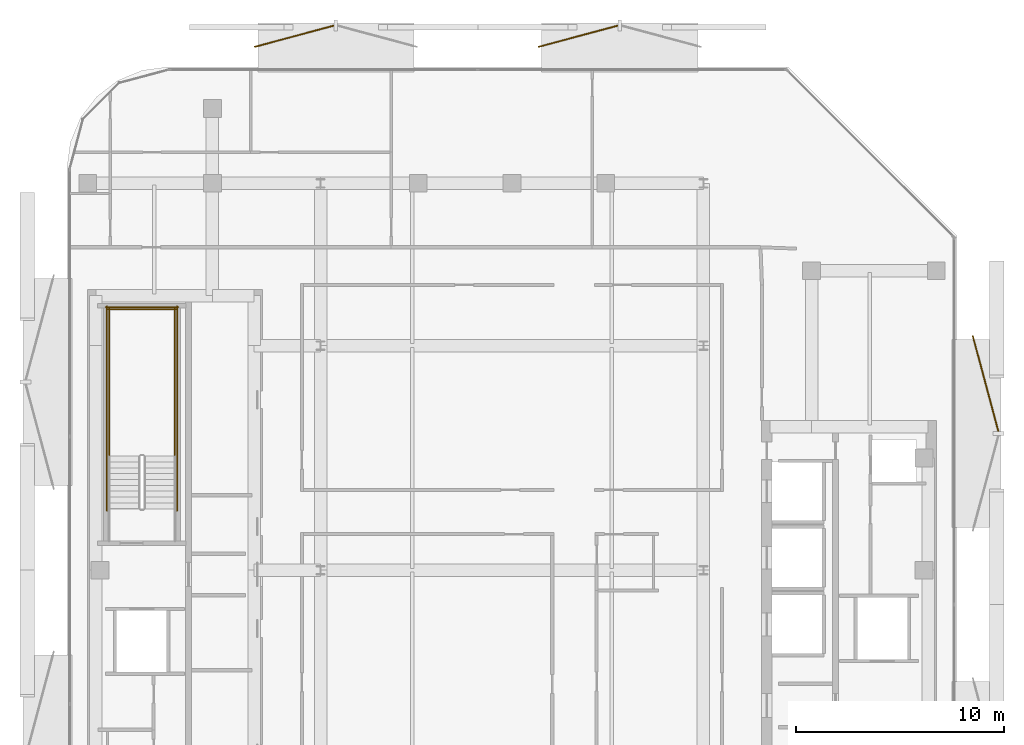
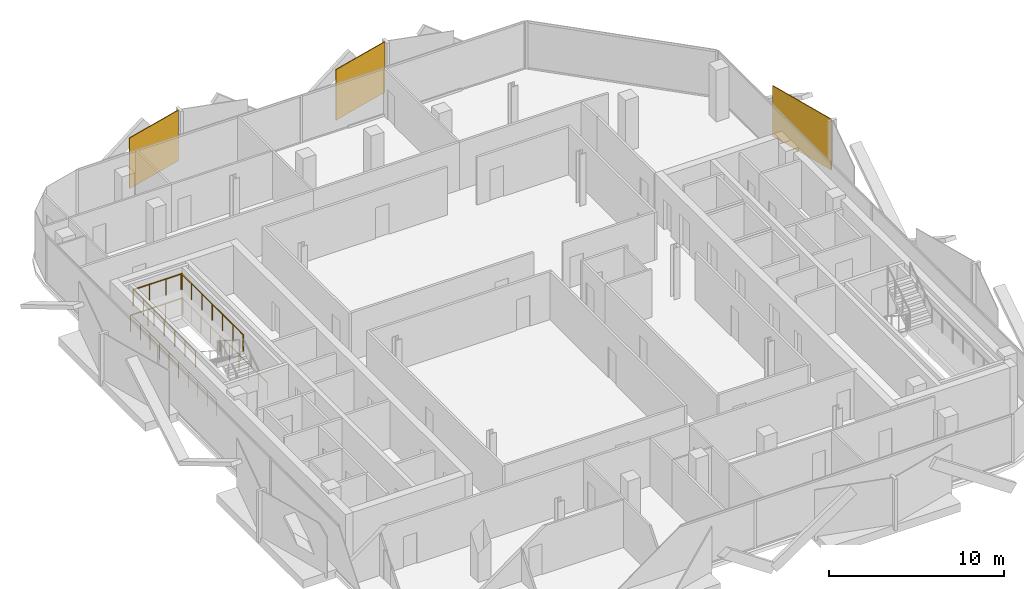
# One storey, part 15 of 15: 6 railings, 3 coverings.
"""IFC4 building model written with IfcOpenShell, lengths in metres."""

from ifc_helpers import new_model, si_unit, direction, frame, origin, origin_2d, place, context, subcontext, project, spatial, rectangle, circle, extrude, material, layer, layer_set, type_object, element, save


model = new_model("IFC4")

# Units and contexts
model_context = context("Model", 3, precision=1e-05, world=origin(), true_north=direction((0.0, 1.0)))
body_context = subcontext(model_context, "Body", "Model", "MODEL_VIEW")
ifc_project = project(units=[si_unit("LENGTHUNIT", "METRE"), si_unit("AREAUNIT", "SQUARE_METRE"), si_unit("VOLUMEUNIT", "CUBIC_METRE"), si_unit("PLANEANGLEUNIT", "RADIAN"), si_unit("MASSUNIT", "GRAM", prefix="KILO")], contexts=[model_context])

# Site, building, storey
site_placement = place(None, origin())
site = spatial("IfcSite", under=ifc_project, at=site_placement, CompositionType="ELEMENT")
building_placement = place(site_placement, origin())
building = spatial("IfcBuilding", under=site, at=building_placement, Name="Khairoan Windgate Tower", CompositionType="ELEMENT")
storey_placement = place(building_placement, frame((0.0, 0.0, 265.60009765625)))
storey = spatial("IfcBuildingStorey", under=building, at=storey_placement, Name="L63", CompositionType="ELEMENT", Elevation=265.60009765625)

# Coverings
ifc_material_1 = material(Name="Anodised Bronze Aluminium 6063-T6", Category="aluminium")
ifc_layer = layer(ifc_material_1, 0.054931640625, Name="Anodised Bronze Aluminium 6063-T6")
ifc_layer_set = layer_set([ifc_layer], Name="Anodised Bronze Aluminium 6063-T6")
covering_type = type_object("IfcCoveringType", Name="Perforated Bronze-Ceramic Folded Solar Screen Cladding BSC-1", PredefinedType="CLADDING", material=ifc_layer_set)
for number, where, z_axis, x_axis, name in (
    (1, (-10.46875, 25.66796875, -0.10009765625), (0.0, 0.0, 1.0), (0.965925826289, 0.258819045103, 0.0), "L63 Folded Bronze Solar Screen Facet 437L"),
    (2, (3.177734375, 25.66796875, -0.10009765625), (0.0, 0.0, 1.0), (0.965925826289, 0.258819045103, 0.0), "L63 Folded Bronze Solar Screen Facet 438L"),
):
    element("IfcCovering", number, at=place(storey_placement, frame(where, z_axis=z_axis, x_axis=x_axis)), inside=storey, type_object=covering_type, Name=name, PredefinedType="CLADDING", context=body_context, shape_type="SweptSolid", body=[
        extrude(rectangle(XDim=3.95703125, YDim=0.054931640625, at=origin_2d()), origin(), (0.0, 0.0, 1.0), 3.5400390625),
    ])
covering_placement = place(storey_placement, frame((22.7626953125, 8.97216796875, -0.10009765625), z_axis=(0.0, 0.0, 1.0), x_axis=(0.258819045103, -0.965925826289, 0.0)))
element("IfcCovering", 3, at=covering_placement, inside=storey, type_object=covering_type, Name="L63 Folded Bronze Solar Screen Facet 439L", PredefinedType="CLADDING", context=body_context, shape_type="SweptSolid", body=[
    extrude(rectangle(XDim=4.76904296875, YDim=0.054931640625, at=origin_2d()), origin(), (0.0, 0.0, 1.0), 3.5400390625),
])

# Railings
ifc_material_2 = material(Name="Steel S355", Category="steel")
railing_type = type_object("IfcRailingType", Name="Stairwell Safety Guardrail SGR-1150", PredefinedType="GUARDRAIL", material=ifc_material_2)
for number, where, name in (
    (4, (-16.199951171875, 5.47998046875, 1.7998046875), "L63 ST2 stair guard 3"),
    (5, (-19.3701171875, 5.47998046875, 1.7998046875), "L63 ST2 stair guard 4"),
):
    element("IfcRailing", number, at=place(storey_placement, frame(where)), inside=storey, type_object=railing_type, Name=name, PredefinedType="GUARDRAIL", context=body_context, shape_type="SweptSolid", body=[
        extrude(circle(Radius=0.02392578125, at=origin_2d()), frame((0.0, 0.0, 1.1259765625), z_axis=(0.0, 1.0, 0.0), x_axis=(-1.0, 0.0, 0.0)), (0.0, 0.0, 1.0), 7.1201171875),
        extrude(circle(Radius=0.02099609375, at=origin_2d()), origin(), (0.0, 0.0, 1.0), 1.101806640625),
        extrude(circle(Radius=0.02099609375, at=origin_2d()), frame((0.0, 1.186767578125, 0.0)), (0.0, 0.0, 1.0), 1.101806640625),
        extrude(circle(Radius=0.02099609375, at=origin_2d()), frame((0.0, 2.373291015625, 0.0)), (0.0, 0.0, 1.0), 1.101806640625),
        extrude(circle(Radius=0.02099609375, at=origin_2d()), frame((0.0, 3.56005859375, 0.0)), (0.0, 0.0, 1.0), 1.101806640625),
        extrude(circle(Radius=0.02099609375, at=origin_2d()), frame((0.0, 4.746826171875, 0.0)), (0.0, 0.0, 1.0), 1.101806640625),
        extrude(circle(Radius=0.02099609375, at=origin_2d()), frame((0.0, 5.933349609375, 0.0)), (0.0, 0.0, 1.0), 1.101806640625),
        extrude(circle(Radius=0.02099609375, at=origin_2d()), frame((0.0, 7.1201171875, 0.0)), (0.0, 0.0, 1.0), 1.101806640625),
    ])
railing_1_placement = place(storey_placement, frame((-16.14990234375, 12.550048828125, 1.7998046875)))
element("IfcRailing", 6, at=railing_1_placement, inside=storey, type_object=railing_type, Name="L63 ST2 stair guard 5", PredefinedType="GUARDRAIL", context=body_context, shape_type="SweptSolid", body=[
    extrude(circle(Radius=0.02392578125, at=origin_2d()), frame((0.0, 0.0, 1.1259765625), z_axis=(-1.0, 0.0, 0.0), x_axis=(0.0, -1.0, 0.0)), (0.0, 0.0, 1.0), 3.27001953125),
    extrude(circle(Radius=0.02099609375, at=origin_2d()), origin(), (0.0, 0.0, 1.0), 1.101806640625),
    extrude(circle(Radius=0.02099609375, at=origin_2d()), frame((-1.090087890625, 0.0, 0.0)), (0.0, 0.0, 1.0), 1.101806640625),
    extrude(circle(Radius=0.02099609375, at=origin_2d()), frame((-2.179931640625, 0.0, 0.0)), (0.0, 0.0, 1.0), 1.101806640625),
    extrude(circle(Radius=0.02099609375, at=origin_2d()), frame((-3.27001953125, 0.0, 0.0)), (0.0, 0.0, 1.0), 1.101806640625),
])
for number, where, name in (
    (7, (-16.10009765625, 2.860107421875, 0.0), "L63 ST2 stair guard 10"),
    (8, (-19.469970703125, 2.860107421875, 0.0), "L63 ST2 stair guard 11"),
):
    element("IfcRailing", number, at=place(storey_placement, frame(where)), inside=storey, type_object=railing_type, Name=name, PredefinedType="GUARDRAIL", context=body_context, shape_type="SweptSolid", body=[
        extrude(circle(Radius=0.02392578125, at=origin_2d()), frame((0.0, 0.0, 1.1259765625), z_axis=(0.0, 1.0, 0.0), x_axis=(-1.0, 0.0, 0.0)), (0.0, 0.0, 1.0), 9.83984375),
        extrude(circle(Radius=0.02099609375, at=origin_2d()), origin(), (0.0, 0.0, 1.0), 1.101806640625),
        extrude(circle(Radius=0.02099609375, at=origin_2d()), frame((0.0, 1.09326171875, 0.0)), (0.0, 0.0, 1.0), 1.101806640625),
        extrude(circle(Radius=0.02099609375, at=origin_2d()), frame((0.0, 2.1865234375, 0.0)), (0.0, 0.0, 1.0), 1.101806640625),
        extrude(circle(Radius=0.02099609375, at=origin_2d()), frame((0.0, 3.280029296875, 0.0)), (0.0, 0.0, 1.0), 1.101806640625),
        extrude(circle(Radius=0.02099609375, at=origin_2d()), frame((0.0, 4.373291015625, 0.0)), (0.0, 0.0, 1.0), 1.101806640625),
        extrude(circle(Radius=0.02099609375, at=origin_2d()), frame((0.0, 5.466552734375, 0.0)), (0.0, 0.0, 1.0), 1.101806640625),
        extrude(circle(Radius=0.02099609375, at=origin_2d()), frame((0.0, 6.559814453125, 0.0)), (0.0, 0.0, 1.0), 1.101806640625),
        extrude(circle(Radius=0.02099609375, at=origin_2d()), frame((0.0, 7.6533203125, 0.0)), (0.0, 0.0, 1.0), 1.101806640625),
        extrude(circle(Radius=0.02099609375, at=origin_2d()), frame((0.0, 8.74658203125, 0.0)), (0.0, 0.0, 1.0), 1.101806640625),
        extrude(circle(Radius=0.02099609375, at=origin_2d()), frame((0.0, 9.83984375, 0.0)), (0.0, 0.0, 1.0), 1.101806640625),
    ])
railing_2_placement = place(storey_placement, frame((-16.050048828125, 12.64990234375, 0.0)))
element("IfcRailing", 9, at=railing_2_placement, inside=storey, type_object=railing_type, Name="L63 ST2 stair guard 12", PredefinedType="GUARDRAIL", context=body_context, shape_type="SweptSolid", body=[
    extrude(circle(Radius=0.02392578125, at=origin_2d()), frame((0.0, 0.0, 1.1259765625), z_axis=(-1.0, 0.0, 0.0), x_axis=(0.0, -1.0, 0.0)), (0.0, 0.0, 1.0), 3.469970703125),
    extrude(circle(Radius=0.02099609375, at=origin_2d()), origin(), (0.0, 0.0, 1.0), 1.101806640625),
    extrude(circle(Radius=0.02099609375, at=origin_2d()), frame((-1.15673828125, 0.0, 0.0)), (0.0, 0.0, 1.0), 1.101806640625),
    extrude(circle(Radius=0.02099609375, at=origin_2d()), frame((-2.313232421875, 0.0, 0.0)), (0.0, 0.0, 1.0), 1.101806640625),
    extrude(circle(Radius=0.02099609375, at=origin_2d()), frame((-3.469970703125, 0.0, 0.0)), (0.0, 0.0, 1.0), 1.101806640625),
])

save(model, "model.ifc")
